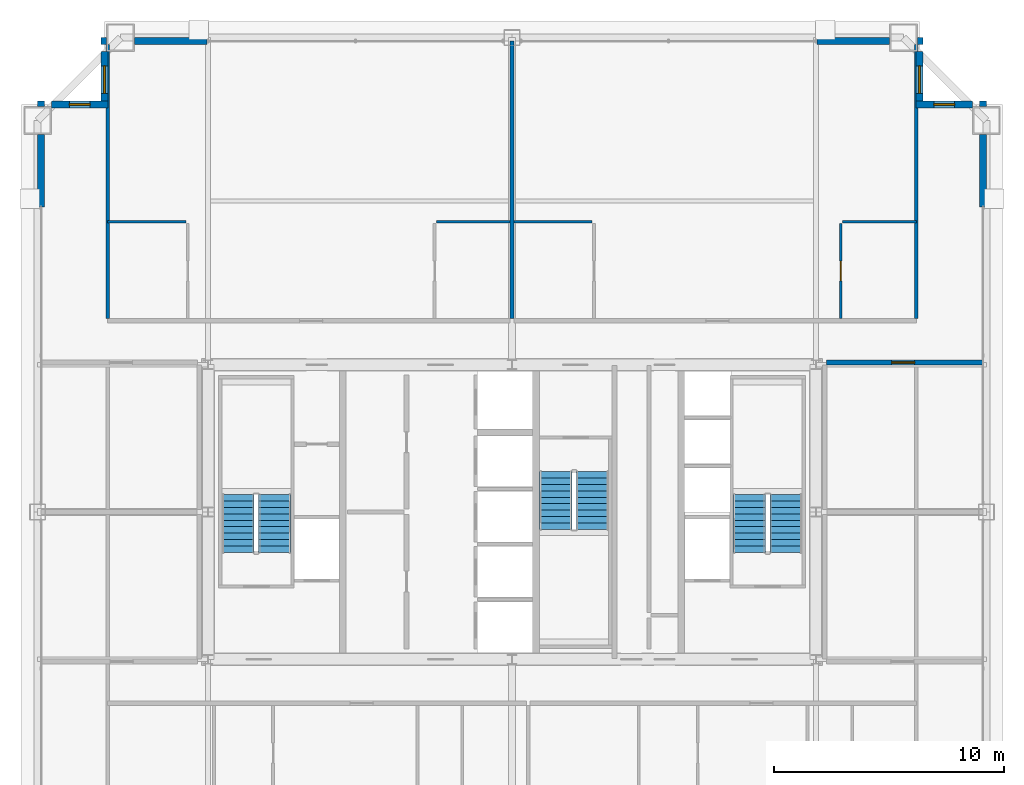
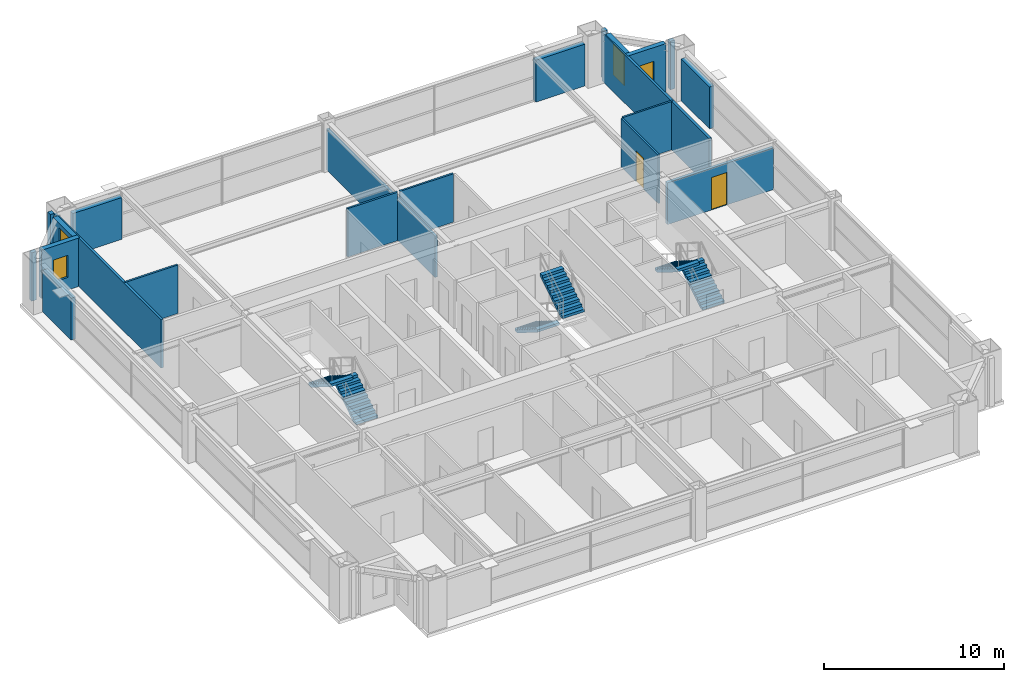
# One storey, part 35 of 36: 21 walls, 6 stair flights, 4 windows, 2 doors, 6 openings, 3 elements without a shape of their own.
"""IFC4 building model written with IfcOpenShell, lengths in metres."""

from ifc_helpers import new_model, si_unit, direction, frame, frame_2d, origin, place, context, subcontext, project, spatial, polyline, rectangle, outline, extrude, source, transform, mapped, material, layer, layer_set, type_object, element, fill, aggregate, save


model = new_model("IFC4")

# Units and contexts
model_context = context("Model", 3, precision=1e-05, world=origin(), true_north=direction((0.0, 1.0)))
body_context = subcontext(model_context, "Body", "Model", "MODEL_VIEW")
ifc_project = project(units=[si_unit("LENGTHUNIT", "METRE"), si_unit("AREAUNIT", "SQUARE_METRE"), si_unit("VOLUMEUNIT", "CUBIC_METRE"), si_unit("PLANEANGLEUNIT", "RADIAN"), si_unit("MASSUNIT", "GRAM", prefix="KILO"), si_unit("THERMODYNAMICTEMPERATUREUNIT", "KELVIN"), si_unit("POWERUNIT", "WATT")], contexts=[model_context])

# Site, building, storey
site_placement = place(None, origin())
site = spatial("IfcSite", under=ifc_project, at=site_placement, CompositionType="ELEMENT")
building_placement = place(site_placement, origin())
building = spatial("IfcBuilding", under=site, at=building_placement, Name="Yuzanri Waterfront Tower", CompositionType="ELEMENT")
storey_placement = place(building_placement, frame((0.0, 0.0, 224.10009765625)))
storey = spatial("IfcBuildingStorey", under=building, at=storey_placement, Name="L59", CompositionType="ELEMENT", Elevation=224.10009765625)

# Wall, opening, door
ifc_material_1 = material(Name="Moisture-Resistant Gypsum Stud Wall", Category="gypsum")
ifc_layer_1 = layer(ifc_material_1, 0.1201171875)
ifc_layer_set_1 = layer_set([ifc_layer_1], Name="Moisture-Resistant Gypsum Stud Wall")
wall_type_1 = type_object("IfcWallType", Name="Bathroom and Kitchen Wet Partition 120", PredefinedType="PARTITIONING", material=ifc_layer_set_1)
wall_1_placement = place(storey_placement, frame((51.280029296875, 34.2099609375, 0.0), z_axis=(0.0, 0.0, 1.0), x_axis=(0.0, 1.0, 0.0)))
wall_1 = element("IfcWall", 1, at=wall_1_placement, inside=storey, type_object=wall_type_1, Name="L59 Partition UW-L59-RN2-SUB-2-W", PredefinedType="PARTITIONING", context=body_context, shape_type="SweptSolid", body=[
    extrude(rectangle(XDim=4.110107421875, YDim=0.1201171875, at=frame_2d((2.05517578125, 0.0))), origin(), (0.0, 0.0, 1.0), 3.27978515625),
])
opening_1_placement = place(wall_1_placement, frame((1.6298828125, 0.0, 0.0)))
opening_1 = element("IfcOpeningElement", 2, at=opening_1_placement, cuts=wall_1, Name="Opening ID-0850", PredefinedType="OPENING", context=body_context, shape_type="SweptSolid", body=[
    extrude(rectangle(XDim=0.85009765625, YDim=2.10009765625, at=frame_2d((0.425048828125, 1.050048828125))), frame((0.0, 0.074951171875, 0.0), z_axis=(0.0, -1.0, 0.0), x_axis=(1.0, 0.0, 0.0)), (0.0, 0.0, 1.0), 0.14990234375),
])
ifc_material_2 = material(Name="Moisture-Resistant Lacquered Timber", Category="wood")
door_type_1 = type_object("IfcDoorType", Name="En-Suite Bathroom and Kitchen Swing Door 850x2100", OperationType="NOTDEFINED", PredefinedType="DOOR", material=ifc_material_2)
shared_shape_1 = source(origin(), body_context, "Body", "SweptSolid", [
    extrude(rectangle(XDim=0.85009765625, YDim=2.10009765625, at=frame_2d((0.425048828125, 1.050048828125))), frame((0.0, 0.02490234375, 0.0), z_axis=(0.0, -1.0, 0.0), x_axis=(1.0, 0.0, 0.0)), (0.0, 0.0, 1.0), 0.050048828125),
])
door_1_placement = place(opening_1_placement, origin())
door_1 = element("IfcDoor", 3, at=door_1_placement, inside=storey, type_object=door_type_1, Name="L59 Suite Interior Room Door", OperationType="SINGLE_SWING_LEFT", OverallHeight=2.10009765625, OverallWidth=0.85009765625, PredefinedType="DOOR", context=body_context, shape_type="MappedRepresentation", body=[
    mapped(shared_shape_1, transform((0.0, 0.0, 0.0), scale=1.0)),
])
fill(opening_1, door_1)

# Wall, opening, window
ifc_material_3 = material(Name="Honed Chongqing Dark Basalt Stone", Category="masonry")
ifc_layer_2 = layer(ifc_material_3, 0.300048828125)
ifc_layer_set_2 = layer_set([ifc_layer_2], Name="Honed Chongqing Dark Basalt Stone")
wall_type_2 = type_object("IfcWallType", Name="Bronze Rainscreen Insulated Spandrel Portal Wall 300", PredefinedType="SOLIDWALL", material=ifc_layer_set_2)
wall_2_placement = place(storey_placement, frame((19.449951171875, 43.5, 0.0), z_axis=(0.0, 0.0, 1.0), x_axis=(-1.0, 0.0, 0.0)))
wall_2 = element("IfcWall", 4, at=wall_2_placement, inside=storey, type_object=wall_type_2, Name="L59 Notched Corner Masonry Wall NW-X", PredefinedType="SOLIDWALL", context=body_context, shape_type="SweptSolid", body=[
    extrude(rectangle(XDim=2.449951171875, YDim=0.300048828125, at=frame_2d((1.22509765625, 0.0))), origin(), (0.0, 0.0, 1.0), 3.27978515625),
])
opening_2_placement = place(wall_2_placement, frame((0.77490234375, 0.0, 0.85009765625)))
opening_2 = element("IfcOpeningElement", 5, at=opening_2_placement, cuts=wall_2, Name="Opening WN-05", PredefinedType="OPENING", context=body_context, shape_type="SweptSolid", body=[
    extrude(rectangle(XDim=0.89990234375, YDim=1.5, at=frame_2d((0.449951171875, 0.75))), frame((0.0, 0.1650390625, 0.0), z_axis=(0.0, -1.0, 0.0), x_axis=(1.0, 0.0, 0.0)), (0.0, 0.0, 1.0), 0.329833984375),
])
ifc_material_4 = material(Name="Double-Silver Low-E Insulated Glass", Category="glass")
window_type_1 = type_object("IfcWindowType", Name="Anodized Bronze Service and Stairwell Smoke-Vent Window 900x1500", PartitioningType="SINGLE_PANEL", PredefinedType="WINDOW", material=ifc_material_4)
shared_shape_2 = source(origin(), body_context, "Body", "SweptSolid", [
    extrude(rectangle(XDim=0.89990234375, YDim=1.5, at=frame_2d((0.449951171875, 0.75))), frame((0.0, 0.030029296875, 0.0), z_axis=(0.0, -1.0, 0.0), x_axis=(1.0, 0.0, 0.0)), (0.0, 0.0, 1.0), 0.06005859375),
])
window_1_placement = place(opening_2_placement, origin())
window_1 = element("IfcWindow", 6, at=window_1_placement, inside=storey, type_object=window_type_1, Name="L59 Notched Corner Window NW-X", OverallHeight=1.5, OverallWidth=0.89990234375, PartitioningType="SINGLE_PANEL", PredefinedType="WINDOW", context=body_context, shape_type="MappedRepresentation", body=[
    mapped(shared_shape_2, transform((0.0, 0.0, 0.0), scale=1.0)),
])
fill(opening_2, window_1)

wall_3_placement = place(storey_placement, frame((19.300048828125, 45.800048828125, 0.0), z_axis=(0.0, 0.0, 1.0), x_axis=(0.0, -1.0, 0.0)))
wall_3 = element("IfcWall", 7, at=wall_3_placement, inside=storey, type_object=wall_type_2, Name="L59 Notched Corner Masonry Wall NW-Y", PredefinedType="SOLIDWALL", context=body_context, shape_type="SweptSolid", body=[
    extrude(rectangle(XDim=2.449951171875, YDim=0.300048828125, at=frame_2d((1.22509765625, 0.0))), origin(), (0.0, 0.0, 1.0), 3.27978515625),
])
opening_3_placement = place(wall_3_placement, frame((0.625, 0.0, 0.85009765625)))
opening_3 = element("IfcOpeningElement", 8, at=opening_3_placement, cuts=wall_3, Name="Opening WN-02", PredefinedType="OPENING", context=body_context, shape_type="SweptSolid", body=[
    extrude(rectangle(XDim=1.199951171875, YDim=2.10009765625, at=frame_2d((0.60009765625, 1.050048828125))), frame((0.0, 0.1650390625, 0.0), z_axis=(0.0, -1.0, 0.0), x_axis=(1.0, 0.0, 0.0)), (0.0, 0.0, 1.0), 0.329833984375),
])
ifc_material_5 = material(Name="Double-Silver Low-E Insulated Glass", Category="glass")
window_type_2 = type_object("IfcWindowType", Name="Anodized Bronze Notched Corner Deep-Set Slot Window 1200x2100", PartitioningType="SINGLE_PANEL", PredefinedType="WINDOW", material=ifc_material_5)
shared_shape_3 = source(origin(), body_context, "Body", "SweptSolid", [
    extrude(rectangle(XDim=1.199951171875, YDim=2.10009765625, at=frame_2d((0.60009765625, 1.050048828125))), frame((0.0, 0.030029296875, 0.0), z_axis=(0.0, -1.0, 0.0), x_axis=(1.0, 0.0, 0.0)), (0.0, 0.0, 1.0), 0.06005859375),
])
window_2_placement = place(opening_3_placement, origin())
window_2 = element("IfcWindow", 9, at=window_2_placement, inside=storey, type_object=window_type_2, Name="L59 Notched Corner Window NW-Y", OverallHeight=2.10009765625, OverallWidth=1.199951171875, PartitioningType="SINGLE_PANEL", PredefinedType="WINDOW", context=body_context, shape_type="MappedRepresentation", body=[
    mapped(shared_shape_3, transform((0.0, 0.0, 0.0), scale=1.0)),
])
fill(opening_3, window_2)

wall_4_placement = place(storey_placement, frame((57.0, 43.5, 0.0), z_axis=(0.0, 0.0, 1.0), x_axis=(-1.0, 0.0, 0.0)))
wall_4 = element("IfcWall", 10, at=wall_4_placement, inside=storey, type_object=wall_type_2, Name="L59 Notched Corner Masonry Wall NE-X", PredefinedType="SOLIDWALL", context=body_context, shape_type="SweptSolid", body=[
    extrude(rectangle(XDim=2.449951171875, YDim=0.300048828125, at=frame_2d((1.22509765625, 0.0))), origin(), (0.0, 0.0, 1.0), 3.27978515625),
])
opening_4_placement = place(wall_4_placement, frame((0.77490234375, 0.0, 0.85009765625)))
opening_4 = element("IfcOpeningElement", 11, at=opening_4_placement, cuts=wall_4, Name="Opening WN-05", PredefinedType="OPENING", context=body_context, shape_type="SweptSolid", body=[
    extrude(rectangle(XDim=0.89990234375, YDim=1.5, at=frame_2d((0.449951171875, 0.75))), frame((0.0, 0.1650390625, 0.0), z_axis=(0.0, -1.0, 0.0), x_axis=(1.0, 0.0, 0.0)), (0.0, 0.0, 1.0), 0.329833984375),
])
window_3_placement = place(opening_4_placement, origin())
window_3 = element("IfcWindow", 12, at=window_3_placement, inside=storey, type_object=window_type_1, Name="L59 Notched Corner Window NE-X", OverallHeight=1.5, OverallWidth=0.89990234375, PartitioningType="SINGLE_PANEL", PredefinedType="WINDOW", context=body_context, shape_type="MappedRepresentation", body=[
    mapped(shared_shape_2, transform((0.0, 0.0, 0.0), scale=1.0)),
])
fill(opening_4, window_3)

wall_5_placement = place(storey_placement, frame((54.699951171875, 43.35009765625, 0.0), z_axis=(0.0, 0.0, 1.0), x_axis=(0.0, 1.0, 0.0)))
wall_5 = element("IfcWall", 13, at=wall_5_placement, inside=storey, type_object=wall_type_2, Name="L59 Notched Corner Masonry Wall NE-Y", PredefinedType="SOLIDWALL", context=body_context, shape_type="SweptSolid", body=[
    extrude(rectangle(XDim=2.449951171875, YDim=0.300048828125, at=frame_2d((1.22509765625, 0.0))), origin(), (0.0, 0.0, 1.0), 3.27978515625),
])
opening_5_placement = place(wall_5_placement, frame((0.625, 0.0, 0.85009765625)))
opening_5 = element("IfcOpeningElement", 14, at=opening_5_placement, cuts=wall_5, Name="Opening WN-02", PredefinedType="OPENING", context=body_context, shape_type="SweptSolid", body=[
    extrude(rectangle(XDim=1.199951171875, YDim=2.10009765625, at=frame_2d((0.60009765625, 1.050048828125))), frame((0.0, 0.1650390625, 0.0), z_axis=(0.0, -1.0, 0.0), x_axis=(1.0, 0.0, 0.0)), (0.0, 0.0, 1.0), 0.329833984375),
])
window_4_placement = place(opening_5_placement, origin())
window_4 = element("IfcWindow", 15, at=window_4_placement, inside=storey, type_object=window_type_2, Name="L59 Notched Corner Window NE-Y", OverallHeight=2.10009765625, OverallWidth=1.199951171875, PartitioningType="SINGLE_PANEL", PredefinedType="WINDOW", context=body_context, shape_type="MappedRepresentation", body=[
    mapped(shared_shape_3, transform((0.0, 0.0, 0.0), scale=1.0)),
])
fill(opening_5, window_4)

# Wall, opening, door
ifc_material_6 = material(Name="Autoclaved Aerated Concrete Blockwork", Category="masonry")
ifc_layer_3 = layer(ifc_material_6, 0.199951171875)
ifc_layer_set_3 = layer_set([ifc_layer_3], Name="Autoclaved Aerated Concrete Blockwork")
wall_type_3 = type_object("IfcWallType", Name="Corridor and Unit Party Fire Wall 200", PredefinedType="PARTITIONING", material=ifc_layer_set_3)
wall_6_placement = place(storey_placement, frame((50.64990234375, 32.2900390625, 0.0), z_axis=(0.0, 0.0, 1.0), x_axis=(1.0, 0.0, 0.0)))
wall_6 = element("IfcWall", 16, at=wall_6_placement, inside=storey, type_object=wall_type_3, Name="L59 Partition UW-L59-042-CN", PredefinedType="PARTITIONING", context=body_context, shape_type="SweptSolid", body=[
    extrude(rectangle(XDim=6.800048828125, YDim=0.199951171875, at=frame_2d((3.39990234375, 0.0))), origin(), (0.0, 0.0, 1.0), 2.824951171875),
])
opening_6_placement = place(wall_6_placement, frame((2.8349609375, 0.0, 0.0)))
opening_6 = element("IfcOpeningElement", 17, at=opening_6_placement, cuts=wall_6, Name="Opening FD-1000", PredefinedType="OPENING", context=body_context, shape_type="SweptSolid", body=[
    extrude(rectangle(XDim=1.0, YDim=2.199951171875, at=frame_2d((0.5, 1.10009765625))), frame((0.0, 0.11474609375, 0.0), z_axis=(0.0, -1.0, 0.0), x_axis=(1.0, 0.0, 0.0)), (0.0, 0.0, 1.0), 0.229736328125),
])
ifc_material_7 = material(Name="Engineered Oak Fire-Rated Timber", Category="wood")
door_type_2 = type_object("IfcDoorType", Name="Guestroom and Apartment Entrance Fire Door 1000x2200", OperationType="NOTDEFINED", PredefinedType="DOOR", material=ifc_material_7)
shared_shape_4 = source(origin(), body_context, "Body", "SweptSolid", [
    extrude(rectangle(XDim=1.0, YDim=2.199951171875, at=frame_2d((0.5, 1.10009765625))), frame((0.0, 0.02490234375, 0.0), z_axis=(0.0, -1.0, 0.0), x_axis=(1.0, 0.0, 0.0)), (0.0, 0.0, 1.0), 0.050048828125),
])
door_2_placement = place(opening_6_placement, origin())
door_2 = element("IfcDoor", 18, at=door_2_placement, inside=storey, type_object=door_type_2, Name="L59 Residents E Seminar Meeting Room Entrance Door", OperationType="SINGLE_SWING_LEFT", OverallHeight=2.199951171875, OverallWidth=1.0, PredefinedType="DOOR", context=body_context, shape_type="MappedRepresentation", body=[
    mapped(shared_shape_4, transform((0.0, 0.0, 0.0), scale=1.0)),
])
fill(opening_6, door_2)

# Walls
shared_shape_5 = source(origin(), body_context, "Body", "SweptSolid", [
    extrude(rectangle(XDim=0.25, YDim=0.300048828125, at=frame_2d((0.125, 0.0))), origin(), (0.0, 0.0, 1.0), 3.27978515625),
])
for number, where, z_axis, x_axis, name in (
    (19, (19.14990234375, 46.25, 0.0), (0.0, 0.0, 1.0), (1.0, 0.0, 0.0), "L59 Corner Column Shoulder Return CNW"),
    (20, (54.60009765625, 46.25, 0.0), (0.0, 0.0, 1.0), (1.0, 0.0, 0.0), "L59 Corner Column Shoulder Return CNE"),
    (21, (16.550048828125, 43.39990234375, 0.0), (0.0, 0.0, 1.0), (0.0, 1.0, 0.0), "L59 Corner Column Shoulder Return CWN"),
    (22, (57.449951171875, 43.39990234375, 0.0), (0.0, 0.0, 1.0), (0.0, 1.0, 0.0), "L59 Corner Column Shoulder Return CEN"),
):
    element("IfcWall", number, at=place(storey_placement, frame(where, z_axis=z_axis, x_axis=x_axis)), inside=storey, type_object=wall_type_2, Name=name, PredefinedType="SOLIDWALL", context=body_context, shape_type="MappedRepresentation", body=[
        mapped(shared_shape_5, transform((0.0, 0.0, 0.0), scale=1.0)),
    ])
shared_shape_6 = source(origin(), body_context, "Body", "SweptSolid", [
    extrude(rectangle(XDim=3.14990234375, YDim=0.300048828125, at=frame_2d((1.574951171875, 0.0))), origin(), (0.0, 0.0, 1.0), 2.8349609375),
])
for number, where, z_axis, x_axis, name in (
    (23, (20.60009765625, 46.25, 0.0), (0.0, 0.0, 1.0), (1.0, 0.0, 0.0), "L59 N Left Braced Masonry Shoulder"),
    (24, (50.25, 46.25, 0.0), (0.0, 0.0, 1.0), (1.0, 0.0, 0.0), "L59 N Right Braced Masonry Shoulder"),
    (25, (16.550048828125, 39.050048828125, 0.0), (0.0, 0.0, 1.0), (0.0, 1.0, 0.0), "L59 W Right Braced Masonry Shoulder"),
    (26, (57.449951171875, 39.050048828125, 0.0), (0.0, 0.0, 1.0), (0.0, 1.0, 0.0), "L59 E Right Braced Masonry Shoulder"),
):
    element("IfcWall", number, at=place(storey_placement, frame(where, z_axis=z_axis, x_axis=x_axis)), inside=storey, type_object=wall_type_2, Name=name, PredefinedType="SOLIDWALL", context=body_context, shape_type="MappedRepresentation", body=[
        mapped(shared_shape_6, transform((0.0, 0.0, 0.0), scale=1.0)),
    ])
ifc_material_8 = material(Name="Gypsum Fireboard Acoustic Stud Wall", Category="gypsum")
ifc_layer_4 = layer(ifc_material_8, 0.159912109375)
ifc_layer_set_4 = layer_set([ifc_layer_4], Name="Gypsum Fireboard Acoustic Stud Wall")
wall_type_4 = type_object("IfcWallType", Name="Acoustic Suite Demising Partition 160", PredefinedType="PARTITIONING", material=ifc_layer_set_4)
shared_shape_7 = source(origin(), body_context, "Body", "SweptSolid", [
    extrude(rectangle(XDim=12.0400390625, YDim=0.159912109375, at=frame_2d((6.02001953125, 0.0))), origin(), (0.0, 0.0, 1.0), 2.786865234375),
])
wall_7_placement = place(storey_placement, frame((37.0, 34.2099609375, 0.0), z_axis=(0.0, 0.0, 1.0), x_axis=(0.0, 1.0, 0.0)))
element("IfcWall", 27, at=wall_7_placement, inside=storey, type_object=wall_type_4, Name="L59-RN1 Party Wall", PredefinedType="PARTITIONING", context=body_context, shape_type="MappedRepresentation", body=[
    mapped(shared_shape_7, transform((0.0, 0.0, 0.0), scale=1.0)),
])
shared_shape_8 = source(origin(), body_context, "Body", "SweptSolid", [
    extrude(rectangle(XDim=3.400146484375, YDim=0.1201171875, at=frame_2d((1.7001953125, 0.0))), origin(), (0.0, 0.0, 1.0), 3.27978515625),
])
wall_8_placement = place(storey_placement, frame((19.43994140625, 38.39990234375, 0.0), z_axis=(0.0, 0.0, 1.0), x_axis=(1.0, 0.0, 0.0)))
element("IfcWall", 28, at=wall_8_placement, inside=storey, type_object=wall_type_1, Name="L59 Partition UW-L59-RN1-SUB-1-N", PredefinedType="PARTITIONING", context=body_context, shape_type="MappedRepresentation", body=[
    mapped(shared_shape_8, transform((0.0, 0.0, 0.0), scale=1.0)),
])
shared_shape_9 = source(origin(), body_context, "Body", "SweptSolid", [
    extrude(rectangle(XDim=3.199951171875, YDim=0.1201171875, at=frame_2d((1.60009765625, 0.0))), origin(), (0.0, 0.0, 1.0), 3.27978515625),
])
for number, where, z_axis, x_axis, name in (
    (29, (33.719970703125, 38.39990234375, 0.0), (0.0, 0.0, 1.0), (1.0, 0.0, 0.0), "L59 Partition UW-L59-RN1-SUB-2-N"),
    (30, (51.360107421875, 38.39990234375, 0.0), (0.0, 0.0, 1.0), (1.0, 0.0, 0.0), "L59 Partition UW-L59-RN2-SUB-2-N"),
):
    element("IfcWall", number, at=place(storey_placement, frame(where, z_axis=z_axis, x_axis=x_axis)), inside=storey, type_object=wall_type_1, Name=name, PredefinedType="PARTITIONING", context=body_context, shape_type="MappedRepresentation", body=[
        mapped(shared_shape_9, transform((0.0, 0.0, 0.0), scale=1.0)),
    ])
shared_shape_10 = source(origin(), body_context, "Body", "SweptSolid", [
    extrude(rectangle(XDim=11.89013671875, YDim=0.159912109375, at=frame_2d((5.945068359375, 0.0))), origin(), (0.0, 0.0, 1.0), 3.27978515625),
])
for number, where, z_axis, x_axis, name in (
    (31, (19.449951171875, 34.2099609375, 0.0), (0.0, 0.0, 1.0), (0.0, 1.0, 0.0), "L59 North Band West End Wall"),
    (32, (54.550048828125, 34.2099609375, 0.0), (0.0, 0.0, 1.0), (0.0, 1.0, 0.0), "L59 North Band East End Wall"),
):
    element("IfcWall", number, at=place(storey_placement, frame(where, z_axis=z_axis, x_axis=x_axis)), inside=storey, type_object=wall_type_4, Name=name, PredefinedType="PARTITIONING", context=body_context, shape_type="MappedRepresentation", body=[
        mapped(shared_shape_10, transform((0.0, 0.0, 0.0), scale=1.0)),
    ])
shared_shape_11 = source(origin(), body_context, "Body", "SweptSolid", [
    extrude(rectangle(XDim=3.39990234375, YDim=0.1201171875, at=frame_2d((1.699951171875, 0.0))), origin(), (0.0, 0.0, 1.0), 3.27978515625),
])
wall_9_placement = place(storey_placement, frame((37.080078125, 38.39990234375, 0.0), z_axis=(0.0, 0.0, 1.0), x_axis=(1.0, 0.0, 0.0)))
element("IfcWall", 33, at=wall_9_placement, inside=storey, type_object=wall_type_1, Name="L59 Partition UW-L59-RN2-SUB-1-N", PredefinedType="PARTITIONING", context=body_context, shape_type="MappedRepresentation", body=[
    mapped(shared_shape_11, transform((0.0, 0.0, 0.0), scale=1.0)),
])

# Stair, stair flights
ifc_material_9 = material(Name="Concrete C40", Category="concrete")
stair_type = type_object("IfcStairType", Name="Concrete C40 Core Dogleg Exit Stair", PredefinedType="HALF_TURN_STAIR", material=ifc_material_9)
stair_1_placement = place(storey_placement, origin())
stair_1 = element("IfcStair", 34, at=stair_1_placement, inside=storey, type_object=stair_type, Name="L59 Smoke-Proof Core Stair ST-01", PredefinedType="HALF_TURN_STAIR")
ifc_material_10 = material(Name="Concrete C40", Category="concrete")
stair_flight_type = type_object("IfcStairFlightType", Name="Concrete C40 Precast Stair Flight 1380", PredefinedType="STRAIGHT", material=ifc_material_10)
shared_shape_12 = source(origin(), body_context, "Body", "SweptSolid", [
    extrude(outline(polyline([(0.0, 0.0), (0.0, 0.175048828125), (0.280029296875, 0.175048828125), (0.280029296875, 0.35009765625), (0.56005859375, 0.35009765625), (0.56005859375, 0.52490234375), (0.840087890625, 0.52490234375), (0.840087890625, 0.699951171875), (1.1201171875, 0.699951171875), (1.1201171875, 0.875), (1.39990234375, 0.875), (1.39990234375, 1.050048828125), (1.679931640625, 1.050048828125), (1.679931640625, 1.22509765625), (1.9599609375, 1.22509765625), (1.9599609375, 1.39990234375), (2.239990234375, 1.39990234375), (2.239990234375, 1.574951171875), (2.52001953125, 1.574951171875), (2.52001953125, 1.75), (2.52001953125, 1.398193359375), (0.28271484375, 0.0), (0.0, 0.0)])), frame((0.0, 0.699951171875, 0.0), z_axis=(0.0, -1.0, 0.0), x_axis=(1.0, 0.0, 0.0)), (0.0, 0.0, 1.0), 1.39990234375),
])
stair_flight_1_placement = place(storey_placement, frame((26.699951171875, 24.0400390625, 0.0), z_axis=(0.0, 0.0, 1.0), x_axis=(0.0, 1.0, 0.0)))
stair_flight_1 = element("IfcStairFlight", 35, at=stair_flight_1_placement, type_object=stair_flight_type, Name="ST-01 flight 1", NumberOfRisers=10, NumberOfTreads=9, PredefinedType="STRAIGHT", RiserHeight=0.175, TreadLength=0.28, context=body_context, shape_type="MappedRepresentation", body=[
    mapped(shared_shape_12, transform((0.0, 0.0, 0.0), scale=1.0)),
])
stair_flight_2_placement = place(storey_placement, frame((25.10009765625, 26.56005859375, 1.75), z_axis=(0.0, 0.0, 1.0), x_axis=(0.0, -1.0, 0.0)))
stair_flight_2 = element("IfcStairFlight", 36, at=stair_flight_2_placement, type_object=stair_flight_type, Name="ST-01 flight 2", NumberOfRisers=10, NumberOfTreads=9, PredefinedType="STRAIGHT", RiserHeight=0.175, TreadLength=0.28, context=body_context, shape_type="MappedRepresentation", body=[
    mapped(shared_shape_12, transform((0.0, 0.0, 0.0), scale=1.0)),
])
aggregate(stair_1, [stair_flight_1, stair_flight_2])

stair_2_placement = place(storey_placement, origin())
stair_2 = element("IfcStair", 37, at=stair_2_placement, inside=storey, type_object=stair_type, Name="L59 Smoke-Proof Core Stair ST-02", PredefinedType="HALF_TURN_STAIR")
stair_flight_3_placement = place(storey_placement, frame((48.89990234375, 24.0400390625, 0.0), z_axis=(0.0, 0.0, 1.0), x_axis=(0.0, 1.0, 0.0)))
stair_flight_3 = element("IfcStairFlight", 38, at=stair_flight_3_placement, type_object=stair_flight_type, Name="ST-02 flight 1", NumberOfRisers=10, NumberOfTreads=9, PredefinedType="STRAIGHT", RiserHeight=0.175, TreadLength=0.28, context=body_context, shape_type="MappedRepresentation", body=[
    mapped(shared_shape_12, transform((0.0, 0.0, 0.0), scale=1.0)),
])
stair_flight_4_placement = place(storey_placement, frame((47.300048828125, 26.56005859375, 1.75), z_axis=(0.0, 0.0, 1.0), x_axis=(0.0, -1.0, 0.0)))
stair_flight_4 = element("IfcStairFlight", 39, at=stair_flight_4_placement, type_object=stair_flight_type, Name="ST-02 flight 2", NumberOfRisers=10, NumberOfTreads=9, PredefinedType="STRAIGHT", RiserHeight=0.175, TreadLength=0.28, context=body_context, shape_type="MappedRepresentation", body=[
    mapped(shared_shape_12, transform((0.0, 0.0, 0.0), scale=1.0)),
])
aggregate(stair_2, [stair_flight_3, stair_flight_4])

stair_3_placement = place(storey_placement, origin())
stair_3 = element("IfcStair", 40, at=stair_3_placement, inside=storey, type_object=stair_type, Name="L59 Smoke-Proof Core Stair ST-03", PredefinedType="HALF_TURN_STAIR")
stair_flight_5_placement = place(storey_placement, frame((38.89990234375, 27.56005859375, 0.0), z_axis=(0.0, 0.0, 1.0), x_axis=(0.0, -1.0, 0.0)))
stair_flight_5 = element("IfcStairFlight", 41, at=stair_flight_5_placement, type_object=stair_flight_type, Name="ST-03 flight 1", NumberOfRisers=10, NumberOfTreads=9, PredefinedType="STRAIGHT", RiserHeight=0.175, TreadLength=0.28, context=body_context, shape_type="MappedRepresentation", body=[
    mapped(shared_shape_12, transform((0.0, 0.0, 0.0), scale=1.0)),
])
stair_flight_6_placement = place(storey_placement, frame((40.5, 25.0400390625, 1.75), z_axis=(0.0, 0.0, 1.0), x_axis=(0.0, 1.0, 0.0)))
stair_flight_6 = element("IfcStairFlight", 42, at=stair_flight_6_placement, type_object=stair_flight_type, Name="ST-03 flight 2", NumberOfRisers=10, NumberOfTreads=9, PredefinedType="STRAIGHT", RiserHeight=0.175, TreadLength=0.28, context=body_context, shape_type="MappedRepresentation", body=[
    mapped(shared_shape_12, transform((0.0, 0.0, 0.0), scale=1.0)),
])
aggregate(stair_3, [stair_flight_5, stair_flight_6])

save(model, "model.ifc")
